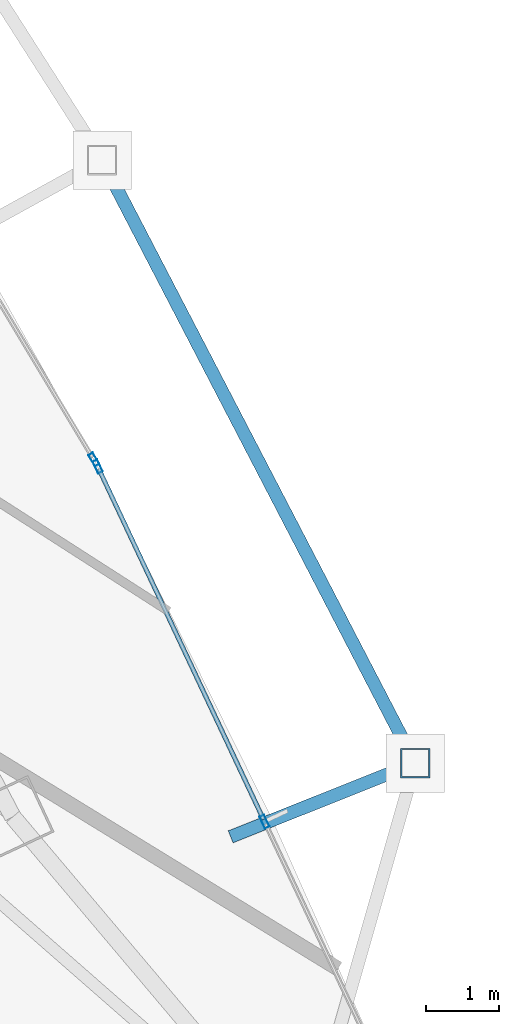
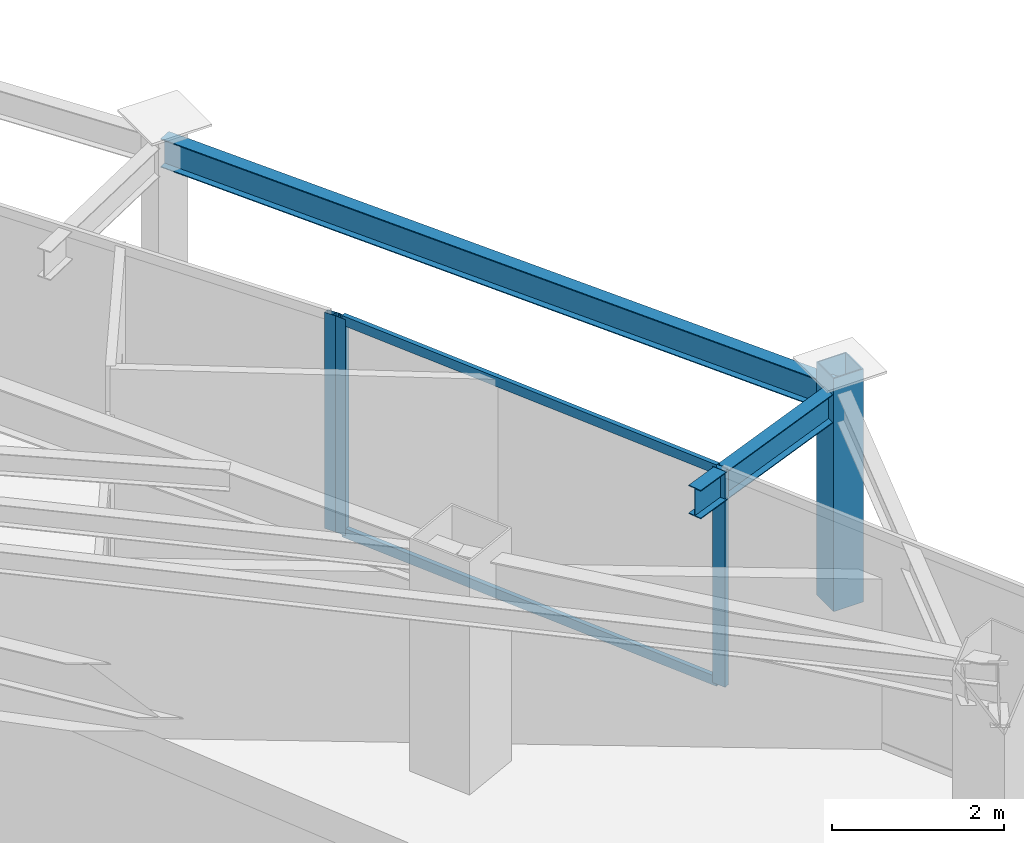
# One storey, part 17 of 29: 6 members, 2 beams, 2 elements without a shape of their own.
"""IFC4 building model written with IfcOpenShell, lengths in metres."""

import ifcopenshell
import ifcopenshell.guid

model = None  # the IFC model being written
_history = None  # IfcOwnerHistory: only IFC2X3 demands one
_inside = {}  # id of a spatial element -> (the spatial element, [elements in it])
_under = {}  # id of a project, library or spatial element -> (it, [spatial elements below it])
_declared = {}  # id of a project -> (the project, [libraries it declares])
_typed = {}  # id of a type object -> (the type object, [elements of that type])
_made_of = {}  # id of a material, layer set ... -> (it, [elements and type objects made of it])


def new_model(schema):
    """Start an empty IFC model of exactly this schema.

    Asked for "IFC4X3", IfcOpenShell would pick the latest addendum, in which some entities
    have other attributes; the version numbers below select the first issue.
    IFC2X3 requires an IfcOwnerHistory on every rooted entity: one is made here for all.
    """
    global model, _history
    if schema == "IFC4X3":
        model = ifcopenshell.file(schema_version=(4, 3, 0, 0))
    else:
        model = ifcopenshell.file(schema=schema)
    _inside.clear()
    _under.clear()
    _declared.clear()
    _typed.clear()
    _made_of.clear()
    _history = None
    if model.schema == "IFC2X3":
        org = make("IfcOrganization", Name="unknown")
        user = make(
            "IfcPersonAndOrganization",
            ThePerson=make("IfcPerson", FamilyName="unknown"),
            TheOrganization=org,
        )
        app = make(
            "IfcApplication",
            ApplicationDeveloper=org,
            Version="unknown",
            ApplicationFullName="unknown",
            ApplicationIdentifier="unknown",
        )
        _history = make(
            "IfcOwnerHistory",
            OwningUser=user,
            OwningApplication=app,
            ChangeAction="ADDED",
            CreationDate=0,
        )
    return model


def make(cls, **values):
    """One entity of the class cls with the attributes given. An attribute that is None is left unset."""
    return model.create_entity(
        cls, **{name: value for name, value in values.items() if value is not None}
    )


def rooted(cls, **values):
    """An entity with a GlobalId (a new one), such as an element, a storey or a relation."""
    return make(cls, GlobalId=ifcopenshell.guid.new(), OwnerHistory=_history, **values)


def si_unit(unit_type, name, prefix=None):
    """IfcSIUnit, for example si_unit("LENGTHUNIT", "METRE", prefix="MILLI")."""
    return make("IfcSIUnit", UnitType=unit_type, Prefix=prefix, Name=name)


def assignment(units):
    """IfcUnitAssignment: the units of a project."""
    return None if units is None else make("IfcUnitAssignment", Units=units)


def point(xyz):
    """IfcCartesianPoint."""
    return None if xyz is None else make("IfcCartesianPoint", Coordinates=xyz)


def direction(xyz):
    """IfcDirection."""
    return None if xyz is None else make("IfcDirection", DirectionRatios=xyz)


def frame(location, z_axis=None, x_axis=None):
    """IfcAxis2Placement3D, a coordinate frame: its origin and axes. An axis left out is left unset."""
    return make(
        "IfcAxis2Placement3D",
        Location=point(location),
        Axis=direction(z_axis),
        RefDirection=direction(x_axis),
    )


def frame_2d(location, x_axis=None):
    """IfcAxis2Placement2D, a coordinate frame in the plane: its origin and x axis."""
    return make(
        "IfcAxis2Placement2D", Location=point(location), RefDirection=direction(x_axis)
    )


def origin():
    """The frame at (0, 0, 0) with its axes left unset."""
    return frame((0.0, 0.0, 0.0))


def origin_2d():
    """The frame at (0, 0) in the plane with its x axis left unset."""
    return frame_2d((0.0, 0.0))


def place(relative_to, where):
    """IfcLocalPlacement: puts the frame where relative to a parent placement (None: the world)."""
    return make(
        "IfcLocalPlacement", PlacementRelTo=relative_to, RelativePlacement=where
    )


def context(
    kind, dimensions, precision=None, world=None, true_north=None, identifier=None
):
    """IfcGeometricRepresentationContext, for example the 3D "Model" context."""
    return make(
        "IfcGeometricRepresentationContext",
        ContextIdentifier=identifier,
        ContextType=kind,
        CoordinateSpaceDimension=dimensions,
        Precision=precision,
        WorldCoordinateSystem=world,
        TrueNorth=true_north,
    )


def subcontext(parent, identifier, kind, view, scale=None):
    """IfcGeometricRepresentationSubContext, for example "Body" below "Model"."""
    return make(
        "IfcGeometricRepresentationSubContext",
        ContextIdentifier=identifier,
        ContextType=kind,
        ParentContext=parent,
        TargetScale=scale,
        TargetView=view,
    )


def project(units=None, contexts=None):
    """IfcProject with its units and contexts."""
    return rooted(
        "IfcProject",
        Name="project",
        RepresentationContexts=contexts,
        UnitsInContext=assignment(units),
    )


def spatial(cls, under=None, at=None, **own):
    """A site, building, storey or space (cls), placed at a placement, below another one or the project."""
    s = rooted(cls, ObjectPlacement=at, **own)
    if under is not None:
        _under.setdefault(under.id(), (under, []))[1].append(s)
    return s


def profile(cls, at=None, kind="AREA", **sizes):
    """A parametric profile (cls). Its sizes go by their IFC names, for example OverallWidth=200.0."""
    return make(cls, ProfileType=kind, Position=at, **sizes)


def hollow_rectangle(**sizes):
    """IfcRectangleHollowProfileDef."""
    return profile("IfcRectangleHollowProfileDef", **sizes)


def i_section(**sizes):
    """IfcIShapeProfileDef."""
    return profile("IfcIShapeProfileDef", **sizes)


def extrude(swept, where, along, depth):
    """IfcExtrudedAreaSolid: the profile swept, set in the frame where, extruded along a direction by depth."""
    return make(
        "IfcExtrudedAreaSolid",
        SweptArea=swept,
        Position=where,
        ExtrudedDirection=direction(along),
        Depth=depth,
    )


def shape(context_of_items, identifier, shape_type, items):
    """IfcShapeRepresentation: the items that make up one representation, for example the "Body"."""
    return make(
        "IfcShapeRepresentation",
        ContextOfItems=context_of_items,
        RepresentationIdentifier=identifier,
        RepresentationType=shape_type,
        Items=items,
    )


def material(Name=None, Category=None):
    """IfcMaterial."""
    return make("IfcMaterial", Name=Name, Category=Category)


def layer(
    of_material, thickness, ventilated=None, Name=None, Category=None, Priority=None
):
    """IfcMaterialLayer: one layer of a wall or slab, of a material (None: an air gap)."""
    return make(
        "IfcMaterialLayer",
        Material=of_material,
        LayerThickness=thickness,
        IsVentilated=ventilated,
        Name=Name,
        Category=Category,
        Priority=Priority,
    )


def layer_set(layers, Name=None):
    """IfcMaterialLayerSet."""
    return make("IfcMaterialLayerSet", MaterialLayers=layers, LayerSetName=Name)


def material_profile(
    of_material, cross_section, Name=None, Category=None, Priority=None
):
    """IfcMaterialProfile: a cross section and its material."""
    return make(
        "IfcMaterialProfile",
        Name=Name,
        Material=of_material,
        Profile=cross_section,
        Priority=Priority,
        Category=Category,
    )


def profile_set(profiles, Name=None, composite=None):
    """IfcMaterialProfileSet."""
    return make(
        "IfcMaterialProfileSet",
        Name=Name,
        MaterialProfiles=profiles,
        CompositeProfile=composite,
    )


def made_of(thing, what):
    """Note that an element or type object is made of a material, layer set ...; save() writes the relation."""
    if what is not None:
        _made_of.setdefault(what.id(), (what, []))[1].append(thing)
    return thing


def type_object(cls, material=None, **own):
    """A type object (cls), such as IfcWallType, which elements share."""
    return made_of(rooted(cls, **own), material)


def element(
    cls,
    number,
    at=None,
    inside=None,
    cuts=None,
    type_object=None,
    material=None,
    context=None,
    identifier="Body",
    shape_type=None,
    held_by="IfcProductDefinitionShape",
    body=None,
    shapes=None,
    **own,
):
    """One element of the class cls, such as IfcWall. Its Tag is "e" and its number.

    at: its placement. inside: the storey or other place that contains it. cuts: it is an
    opening in that element (IfcRelVoidsElement). A single representation is given by context,
    identifier, shape_type and body (its items); several are given by shapes. held_by: the class
    of the entity that holds the representations. save() writes the other relations.
    """
    e = rooted(cls, Tag="e%d" % number, ObjectPlacement=at, **own)
    if body is not None:
        shapes = [shape(context, identifier, shape_type, body)]
    if shapes is not None:
        e.Representation = make(held_by, Representations=shapes)
    if inside is not None:
        _inside.setdefault(inside.id(), (inside, []))[1].append(e)
    if cuts is not None:
        rooted(
            "IfcRelVoidsElement", RelatingBuildingElement=cuts, RelatedOpeningElement=e
        )
    if type_object is not None:
        _typed.setdefault(type_object.id(), (type_object, []))[1].append(e)
    return made_of(e, material)


def aggregate(whole, parts):
    """IfcRelAggregates: a whole, such as a stair, and the parts it consists of."""
    return rooted("IfcRelAggregates", RelatingObject=whole, RelatedObjects=parts)


def save(model, path):
    """Write the relations noted so far, then the file.

    IfcRelAggregates (storeys below a building ...), IfcRelContainedInSpatialStructure (elements
    in a storey), IfcRelDefinesByType, IfcRelAssociatesMaterial and IfcRelDeclares: one each for
    every whole, place, type object, material and project.
    """
    for whole, parts in _under.values():
        aggregate(whole, parts)
    for where, things in _inside.values():
        rooted(
            "IfcRelContainedInSpatialStructure",
            RelatedElements=things,
            RelatingStructure=where,
        )
    for kind, things in _typed.values():
        rooted("IfcRelDefinesByType", RelatedObjects=things, RelatingType=kind)
    for what, things in _made_of.values():
        rooted("IfcRelAssociatesMaterial", RelatedObjects=things, RelatingMaterial=what)
    for by, libraries in _declared.values():
        rooted("IfcRelDeclares", RelatingContext=by, RelatedDefinitions=libraries)
    model.write(path)


model = new_model("IFC4")

# Units and contexts
model_context = context("Model", 3, precision=1e-05, world=origin(), true_north=direction((0.0, 1.0)))
body_context = subcontext(model_context, "Body", "Model", "MODEL_VIEW")
ifc_project = project(units=[si_unit("LENGTHUNIT", "METRE"), si_unit("AREAUNIT", "SQUARE_METRE"), si_unit("VOLUMEUNIT", "CUBIC_METRE"), si_unit("PLANEANGLEUNIT", "RADIAN"), si_unit("MASSUNIT", "GRAM", prefix="KILO")], contexts=[model_context])

# Site, building, storey
site_placement = place(None, origin())
site = spatial("IfcSite", under=ifc_project, at=site_placement, CompositionType="ELEMENT")
building_placement = place(site_placement, origin())
building = spatial("IfcBuilding", under=site, at=building_placement, Name="Orvanel Arch Residences", CompositionType="ELEMENT")
storey_placement = place(building_placement, frame((0.0, 0.0, 177.050048828125)))
storey = spatial("IfcBuildingStorey", under=building, at=storey_placement, Name="L50", CompositionType="ELEMENT", Elevation=177.050048828125)

# Curtain wall, members
ifc_material_1 = material(Name="Bronze-anodised aluminium AA6063-T6", Category="aluminium")
ifc_layer = layer(ifc_material_1, 0.179931640625)
ifc_layer_set = layer_set([ifc_layer], Name="Bronze-anodised aluminium AA6063-T6")
curtain_wall_type = type_object("IfcCurtainWallType", Name="CW3-MID-SYS", PredefinedType="NOTDEFINED", material=ifc_layer_set)
curtain_wall_1_placement = place(storey_placement, origin())
curtain_wall_1 = element("IfcCurtainWall", 1, at=curtain_wall_1_placement, inside=storey, type_object=curtain_wall_type, Name="L50 CW3-MID-SYS Unitised Curtain Wall", PredefinedType="NOTDEFINED")
ifc_material_profile_1 = material_profile(ifc_material_1, hollow_rectangle(XDim=0.070068359375, YDim=0.179931640625, WallThickness=0.00439453125, at=origin_2d()), Name="ALU180x70x4.5")
ifc_profile_set_1 = profile_set([ifc_material_profile_1], Name="Bronze-anodised aluminium AA6063-T6")
member_type_1 = type_object("IfcMemberType", Name="MUL-180x70", PredefinedType="MULLION", material=ifc_profile_set_1)
member_1_placement = place(storey_placement, frame((53.074462890625, 19.576904296875, 0.0), z_axis=(0.0, 0.0, 1.0), x_axis=(-0.905089296983, -0.425221547533, 0.0)))
member_1 = element("IfcMember", 2, at=member_1_placement, type_object=member_type_1, Name="CW-S3 mullion 2", PredefinedType="MULLION", context=body_context, shape_type="SweptSolid", body=[
    extrude(hollow_rectangle(XDim=0.070068359375, YDim=0.179931640625, WallThickness=0.00439453125, at=origin_2d()), origin(), (0.0, 0.0, 1.0), 3.06005859375),
])
member_2_placement = place(storey_placement, frame((50.7939453125, 24.431396484375, 0.0), z_axis=(0.0, 0.0, 1.0), x_axis=(-0.905089296983, -0.425221547533, 0.0)))
member_2 = element("IfcMember", 3, at=member_2_placement, type_object=member_type_1, Name="CW-S3 mullion 3", PredefinedType="MULLION", context=body_context, shape_type="SweptSolid", body=[
    extrude(hollow_rectangle(XDim=0.070068359375, YDim=0.179931640625, WallThickness=0.00439453125, at=origin_2d()), origin(), (0.0, 0.0, 1.0), 3.06005859375),
])

# Curtain wall, member
curtain_wall_2_placement = place(storey_placement, origin())
curtain_wall_2 = element("IfcCurtainWall", 4, at=curtain_wall_2_placement, inside=storey, type_object=curtain_wall_type, Name="L50 CW3-MID-SYS Unitised Curtain Wall", PredefinedType="NOTDEFINED")
member_3_placement = place(storey_placement, frame((50.741943359375, 24.528076171875, 0.0), z_axis=(0.0, 0.0, 1.0), x_axis=(-0.857542204558, -0.514413615102, 0.0)))
member_3 = element("IfcMember", 5, at=member_3_placement, type_object=member_type_1, Name="CW-S3 mullion 1", PredefinedType="MULLION", context=body_context, shape_type="SweptSolid", body=[
    extrude(hollow_rectangle(XDim=0.070068359375, YDim=0.179931640625, WallThickness=0.00439453125, at=origin_2d()), origin(), (0.0, 0.0, 1.0), 3.06005859375),
])
aggregate(curtain_wall_2, [member_3])

# Beams
ifc_material_2 = material(Name="Structural steel AS/NZS 3679.1 Grade 300 (300 MPa)", Category="steel")
ifc_material_profile_2 = material_profile(ifc_material_2, i_section(OverallWidth=0.177978515625, OverallDepth=0.406005859375, WebThickness=0.0078125, FlangeThickness=0.0126953125, at=origin_2d()), Name="410UB59.7")
ifc_profile_set_2 = profile_set([ifc_material_profile_2], Name="Structural steel AS/NZS 3679.1 Grade 300 (300 MPa)")
beam_type = type_object("IfcBeamType", Name="OB-410UB-EXT", PredefinedType="SPANDREL", material=ifc_profile_set_2)
beam_1_placement = place(storey_placement, frame((52.611083984375, 19.368896484375, 2.85693359375), z_axis=(0.928841685678, 0.370476885846, 0.0), x_axis=(-0.370476885846, 0.928841685678, 0.0)))
element("IfcBeam", 6, at=beam_1_placement, inside=storey, type_object=beam_type, Name="L50 Outer Frame Radial Tie Beam 09", PredefinedType="SPANDREL", context=body_context, shape_type="SweptSolid", body=[
    extrude(i_section(OverallWidth=0.177978515625, OverallDepth=0.406005859375, WebThickness=0.0078125, FlangeThickness=0.0126953125, at=origin_2d()), origin(), (0.0, 0.0, 1.0), 2.71826171875),
])
beam_2_placement = place(storey_placement, frame((55.135986328125, 20.3759765625, 2.85693359375), z_axis=(-0.460931503578, 0.887435715424, 0.0), x_axis=(-0.887435715424, -0.460931503578, 0.0)))
element("IfcBeam", 7, at=beam_2_placement, inside=storey, type_object=beam_type, Name="L50 Outer Perimeter Floor Ring Beam 09", PredefinedType="SPANDREL", context=body_context, shape_type="SweptSolid", body=[
    extrude(i_section(OverallWidth=0.177978515625, OverallDepth=0.406005859375, WebThickness=0.0078125, FlangeThickness=0.0126953125, at=origin_2d()), origin(), (0.0, 0.0, 1.0), 9.289794921875),
])

# Member
ifc_material_3 = material(Name="Structural steel AS/NZS 1163 C450L0 (Grade 450)", Category="steel")
ifc_material_profile_3 = material_profile(ifc_material_3, hollow_rectangle(XDim=0.39990234375, YDim=0.39990234375, WallThickness=0.01611328125, at=origin_2d()), Name="SHS400x400x16")
ifc_profile_set_3 = profile_set([ifc_material_profile_3], Name="Structural steel AS/NZS 1163 C450L0 (Grade 450)")
member_type_2 = type_object("IfcMemberType", Name="ST-400SHS-EXT", PredefinedType="STRUT", material=ifc_profile_set_3)
member_4_placement = place(storey_placement, frame((55.135986328125, 20.3759765625, 0.0), z_axis=(0.0, 0.0, 1.0), x_axis=(1.0, 0.0, 0.0)))
element("IfcMember", 8, at=member_4_placement, inside=storey, type_object=member_type_2, Name="L50 Outer Perimeter Frame Post 09", PredefinedType="STRUT", context=body_context, shape_type="SweptSolid", body=[
    extrude(hollow_rectangle(XDim=0.39990234375, YDim=0.39990234375, WallThickness=0.01611328125, at=origin_2d()), origin(), (0.0, 0.0, 1.0), 3.300048828125),
])

ifc_material_profile_4 = material_profile(ifc_material_1, hollow_rectangle(XDim=0.06005859375, YDim=0.135009765625, WallThickness=0.00390625, at=origin_2d()), Name="ALU135x60x4")
ifc_profile_set_4 = profile_set([ifc_material_profile_4], Name="Bronze-anodised aluminium AA6063-T6")
member_type_3 = type_object("IfcMemberType", Name="TRN-135x60", PredefinedType="USERDEFINED", material=ifc_profile_set_4)
member_5_placement = place(storey_placement, frame((53.0595703125, 19.608642578125, 0.030029296875), z_axis=(-0.425199446984, 0.90509967975, 0.0), x_axis=(-0.90509967975, -0.425199446984, 0.0)))
member_5 = element("IfcMember", 9, at=member_5_placement, type_object=member_type_3, Name="CW-S3 transom 2.1", ObjectType="TRANSOM", PredefinedType="USERDEFINED", context=body_context, shape_type="SweptSolid", body=[
    extrude(hollow_rectangle(XDim=0.06005859375, YDim=0.135009765625, WallThickness=0.00390625, at=origin_2d()), origin(), (0.0, 0.0, 1.0), 5.29345703125),
])

member_6_placement = place(storey_placement, frame((53.0595703125, 19.608642578125, 3.030029296875), z_axis=(-0.425199446984, 0.90509967975, 0.0), x_axis=(-0.90509967975, -0.425199446984, 0.0)))
member_6 = element("IfcMember", 10, at=member_6_placement, type_object=member_type_3, Name="CW-S3 transom 2.2", ObjectType="TRANSOM", PredefinedType="USERDEFINED", context=body_context, shape_type="SweptSolid", body=[
    extrude(hollow_rectangle(XDim=0.06005859375, YDim=0.135009765625, WallThickness=0.00390625, at=origin_2d()), origin(), (0.0, 0.0, 1.0), 5.29345703125),
])

aggregate(curtain_wall_1, [member_1, member_2, member_5, member_6])

save(model, "model.ifc")
